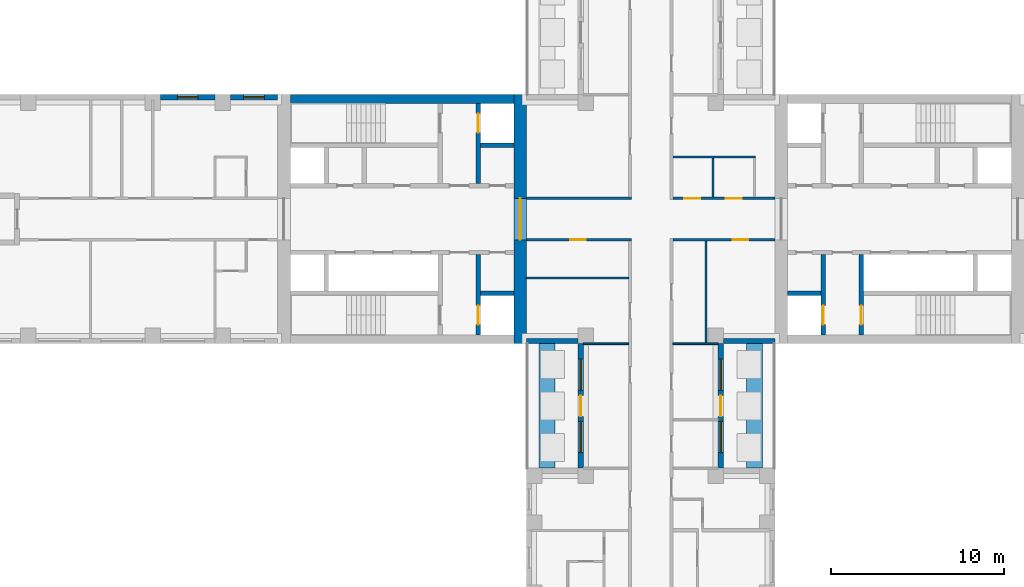
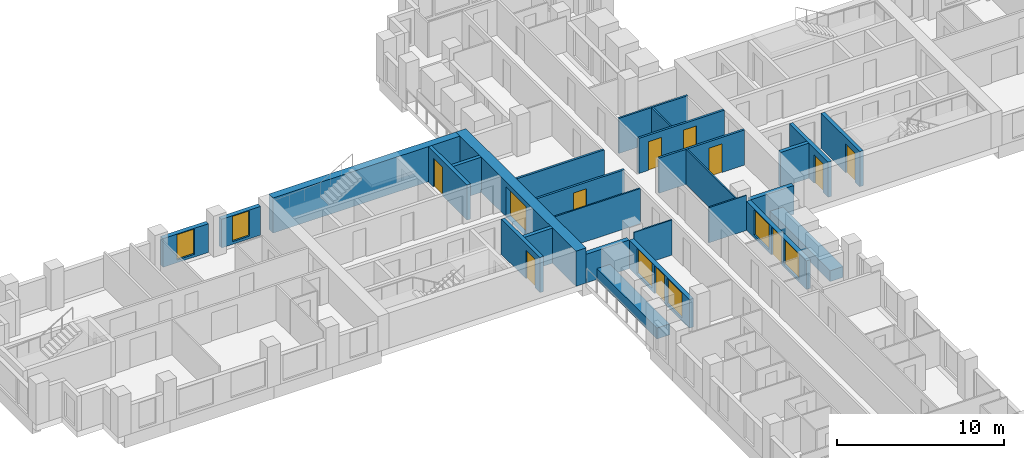
# One storey, part 7 of 13: 27 walls, 11 doors, 6 windows, 17 openings.
"""IFC4 building model written with IfcOpenShell, lengths in metres."""

import ifcopenshell
import ifcopenshell.guid

model = None  # the IFC model being written
_history = None  # IfcOwnerHistory: only IFC2X3 demands one
_inside = {}  # id of a spatial element -> (the spatial element, [elements in it])
_under = {}  # id of a project, library or spatial element -> (it, [spatial elements below it])
_declared = {}  # id of a project -> (the project, [libraries it declares])
_typed = {}  # id of a type object -> (the type object, [elements of that type])
_made_of = {}  # id of a material, layer set ... -> (it, [elements and type objects made of it])


def new_model(schema):
    """Start an empty IFC model of exactly this schema.

    Asked for "IFC4X3", IfcOpenShell would pick the latest addendum, in which some entities
    have other attributes; the version numbers below select the first issue.
    IFC2X3 requires an IfcOwnerHistory on every rooted entity: one is made here for all.
    """
    global model, _history
    if schema == "IFC4X3":
        model = ifcopenshell.file(schema_version=(4, 3, 0, 0))
    else:
        model = ifcopenshell.file(schema=schema)
    _inside.clear()
    _under.clear()
    _declared.clear()
    _typed.clear()
    _made_of.clear()
    _history = None
    if model.schema == "IFC2X3":
        org = make("IfcOrganization", Name="unknown")
        user = make(
            "IfcPersonAndOrganization",
            ThePerson=make("IfcPerson", FamilyName="unknown"),
            TheOrganization=org,
        )
        app = make(
            "IfcApplication",
            ApplicationDeveloper=org,
            Version="unknown",
            ApplicationFullName="unknown",
            ApplicationIdentifier="unknown",
        )
        _history = make(
            "IfcOwnerHistory",
            OwningUser=user,
            OwningApplication=app,
            ChangeAction="ADDED",
            CreationDate=0,
        )
    return model


def make(cls, **values):
    """One entity of the class cls with the attributes given. An attribute that is None is left unset."""
    return model.create_entity(
        cls, **{name: value for name, value in values.items() if value is not None}
    )


def rooted(cls, **values):
    """An entity with a GlobalId (a new one), such as an element, a storey or a relation."""
    return make(cls, GlobalId=ifcopenshell.guid.new(), OwnerHistory=_history, **values)


def si_unit(unit_type, name, prefix=None):
    """IfcSIUnit, for example si_unit("LENGTHUNIT", "METRE", prefix="MILLI")."""
    return make("IfcSIUnit", UnitType=unit_type, Prefix=prefix, Name=name)


def assignment(units):
    """IfcUnitAssignment: the units of a project."""
    return None if units is None else make("IfcUnitAssignment", Units=units)


def point(xyz):
    """IfcCartesianPoint."""
    return None if xyz is None else make("IfcCartesianPoint", Coordinates=xyz)


def direction(xyz):
    """IfcDirection."""
    return None if xyz is None else make("IfcDirection", DirectionRatios=xyz)


def frame(location, z_axis=None, x_axis=None):
    """IfcAxis2Placement3D, a coordinate frame: its origin and axes. An axis left out is left unset."""
    return make(
        "IfcAxis2Placement3D",
        Location=point(location),
        Axis=direction(z_axis),
        RefDirection=direction(x_axis),
    )


def frame_2d(location, x_axis=None):
    """IfcAxis2Placement2D, a coordinate frame in the plane: its origin and x axis."""
    return make(
        "IfcAxis2Placement2D", Location=point(location), RefDirection=direction(x_axis)
    )


def origin():
    """The frame at (0, 0, 0) with its axes left unset."""
    return frame((0.0, 0.0, 0.0))


def place(relative_to, where):
    """IfcLocalPlacement: puts the frame where relative to a parent placement (None: the world)."""
    return make(
        "IfcLocalPlacement", PlacementRelTo=relative_to, RelativePlacement=where
    )


def context(
    kind, dimensions, precision=None, world=None, true_north=None, identifier=None
):
    """IfcGeometricRepresentationContext, for example the 3D "Model" context."""
    return make(
        "IfcGeometricRepresentationContext",
        ContextIdentifier=identifier,
        ContextType=kind,
        CoordinateSpaceDimension=dimensions,
        Precision=precision,
        WorldCoordinateSystem=world,
        TrueNorth=true_north,
    )


def subcontext(parent, identifier, kind, view, scale=None):
    """IfcGeometricRepresentationSubContext, for example "Body" below "Model"."""
    return make(
        "IfcGeometricRepresentationSubContext",
        ContextIdentifier=identifier,
        ContextType=kind,
        ParentContext=parent,
        TargetScale=scale,
        TargetView=view,
    )


def project(units=None, contexts=None):
    """IfcProject with its units and contexts."""
    return rooted(
        "IfcProject",
        Name="project",
        RepresentationContexts=contexts,
        UnitsInContext=assignment(units),
    )


def spatial(cls, under=None, at=None, **own):
    """A site, building, storey or space (cls), placed at a placement, below another one or the project."""
    s = rooted(cls, ObjectPlacement=at, **own)
    if under is not None:
        _under.setdefault(under.id(), (under, []))[1].append(s)
    return s


def profile(cls, at=None, kind="AREA", **sizes):
    """A parametric profile (cls). Its sizes go by their IFC names, for example OverallWidth=200.0."""
    return make(cls, ProfileType=kind, Position=at, **sizes)


def rectangle(**sizes):
    """IfcRectangleProfileDef."""
    return profile("IfcRectangleProfileDef", **sizes)


def extrude(swept, where, along, depth):
    """IfcExtrudedAreaSolid: the profile swept, set in the frame where, extruded along a direction by depth."""
    return make(
        "IfcExtrudedAreaSolid",
        SweptArea=swept,
        Position=where,
        ExtrudedDirection=direction(along),
        Depth=depth,
    )


def shape(context_of_items, identifier, shape_type, items):
    """IfcShapeRepresentation: the items that make up one representation, for example the "Body"."""
    return make(
        "IfcShapeRepresentation",
        ContextOfItems=context_of_items,
        RepresentationIdentifier=identifier,
        RepresentationType=shape_type,
        Items=items,
    )


def material(Name=None, Category=None):
    """IfcMaterial."""
    return make("IfcMaterial", Name=Name, Category=Category)


def layer(
    of_material, thickness, ventilated=None, Name=None, Category=None, Priority=None
):
    """IfcMaterialLayer: one layer of a wall or slab, of a material (None: an air gap)."""
    return make(
        "IfcMaterialLayer",
        Material=of_material,
        LayerThickness=thickness,
        IsVentilated=ventilated,
        Name=Name,
        Category=Category,
        Priority=Priority,
    )


def layer_set(layers, Name=None):
    """IfcMaterialLayerSet."""
    return make("IfcMaterialLayerSet", MaterialLayers=layers, LayerSetName=Name)


def made_of(thing, what):
    """Note that an element or type object is made of a material, layer set ...; save() writes the relation."""
    if what is not None:
        _made_of.setdefault(what.id(), (what, []))[1].append(thing)
    return thing


def type_object(cls, material=None, **own):
    """A type object (cls), such as IfcWallType, which elements share."""
    return made_of(rooted(cls, **own), material)


def element(
    cls,
    number,
    at=None,
    inside=None,
    cuts=None,
    type_object=None,
    material=None,
    context=None,
    identifier="Body",
    shape_type=None,
    held_by="IfcProductDefinitionShape",
    body=None,
    shapes=None,
    **own,
):
    """One element of the class cls, such as IfcWall. Its Tag is "e" and its number.

    at: its placement. inside: the storey or other place that contains it. cuts: it is an
    opening in that element (IfcRelVoidsElement). A single representation is given by context,
    identifier, shape_type and body (its items); several are given by shapes. held_by: the class
    of the entity that holds the representations. save() writes the other relations.
    """
    e = rooted(cls, Tag="e%d" % number, ObjectPlacement=at, **own)
    if body is not None:
        shapes = [shape(context, identifier, shape_type, body)]
    if shapes is not None:
        e.Representation = make(held_by, Representations=shapes)
    if inside is not None:
        _inside.setdefault(inside.id(), (inside, []))[1].append(e)
    if cuts is not None:
        rooted(
            "IfcRelVoidsElement", RelatingBuildingElement=cuts, RelatedOpeningElement=e
        )
    if type_object is not None:
        _typed.setdefault(type_object.id(), (type_object, []))[1].append(e)
    return made_of(e, material)


def fill(opening, filler):
    """IfcRelFillsElement: the door or window that sits in an opening."""
    return rooted(
        "IfcRelFillsElement",
        RelatingOpeningElement=opening,
        RelatedBuildingElement=filler,
    )


def aggregate(whole, parts):
    """IfcRelAggregates: a whole, such as a stair, and the parts it consists of."""
    return rooted("IfcRelAggregates", RelatingObject=whole, RelatedObjects=parts)


def save(model, path):
    """Write the relations noted so far, then the file.

    IfcRelAggregates (storeys below a building ...), IfcRelContainedInSpatialStructure (elements
    in a storey), IfcRelDefinesByType, IfcRelAssociatesMaterial and IfcRelDeclares: one each for
    every whole, place, type object, material and project.
    """
    for whole, parts in _under.values():
        aggregate(whole, parts)
    for where, things in _inside.values():
        rooted(
            "IfcRelContainedInSpatialStructure",
            RelatedElements=things,
            RelatingStructure=where,
        )
    for kind, things in _typed.values():
        rooted("IfcRelDefinesByType", RelatedObjects=things, RelatingType=kind)
    for what, things in _made_of.values():
        rooted("IfcRelAssociatesMaterial", RelatedObjects=things, RelatingMaterial=what)
    for by, libraries in _declared.values():
        rooted("IfcRelDeclares", RelatingContext=by, RelatedDefinitions=libraries)
    model.write(path)


model = new_model("IFC4")

# Units and contexts
model_context = context("Model", 3, precision=1e-05, world=origin(), true_north=direction((0.0, 1.0)))
body_context = subcontext(model_context, "Body", "Model", "MODEL_VIEW")
ifc_project = project(units=[si_unit("LENGTHUNIT", "METRE"), si_unit("AREAUNIT", "SQUARE_METRE"), si_unit("VOLUMEUNIT", "CUBIC_METRE"), si_unit("PLANEANGLEUNIT", "RADIAN"), si_unit("MASSUNIT", "GRAM", prefix="KILO")], contexts=[model_context])

# Site, building, storey
site_placement = place(None, origin())
site = spatial("IfcSite", under=ifc_project, at=site_placement, CompositionType="ELEMENT")
building_placement = place(site_placement, origin())
building = spatial("IfcBuilding", under=site, at=building_placement, Name="Fustian Cross Tower", CompositionType="ELEMENT")
storey_placement = place(building_placement, frame((0.0, 0.0, 87.89990234375)))
storey = spatial("IfcBuildingStorey", under=building, at=storey_placement, Name="L27", CompositionType="ELEMENT", Elevation=87.89990234375)

# Wall, opening, door
ifc_material_1 = material(Name="Plasterboard on steel stud", Category="steel")
ifc_layer_1 = layer(ifc_material_1, 0.14990234375)
ifc_layer_set_1 = layer_set([ifc_layer_1], Name="Plasterboard on steel stud")
wall_type_1 = type_object("IfcWallType", Name="COMPARTMENT WALL 150 EI 60", PredefinedType="PARTITIONING", material=ifc_layer_set_1)
wall_1_placement = place(storey_placement, frame((-7.199951171875, -1.199951171875, 0.0), z_axis=(0.0, 0.0, 1.0), x_axis=(1.0, 0.0, 0.0)))
wall_1 = element("IfcWall", 1, at=wall_1_placement, inside=storey, type_object=wall_type_1, Name="Partition 15", PredefinedType="PARTITIONING", context=body_context, shape_type="SweptSolid", body=[
    extrude(rectangle(XDim=6.074951171875, YDim=0.14990234375, at=frame_2d((3.03759765625, 0.0))), origin(), (0.0, 0.0, 1.0), 2.5751953125),
])
opening_1_placement = place(wall_1_placement, frame((2.550048828125, 0.0, 0.0)))
opening_1 = element("IfcOpeningElement", 2, at=opening_1_placement, cuts=wall_1, Name="Opening D13007", PredefinedType="OPENING", context=body_context, shape_type="SweptSolid", body=[
    extrude(rectangle(XDim=0.89990234375, YDim=2.10009765625, at=frame_2d((0.449951171875, 1.050048828125))), frame((0.0, 0.0849609375, 0.0), z_axis=(0.0, -1.0, 0.0), x_axis=(1.0, 0.0, 0.0)), (0.0, 0.0, 1.0), 0.169921875),
])
ifc_material_2 = material(Name="Timber fire door set", Category="wood")
door_type_1 = type_object("IfcDoorType", Name="FIRE SWING DOOR 900 FD30S", OperationType="SINGLE_SWING_LEFT", PredefinedType="DOOR", material=ifc_material_2)
door_1_placement = place(opening_1_placement, frame((0.89990234375, 0.0, 0.0), z_axis=(0.0, 0.0, 1.0), x_axis=(-1.0, 0.0, 0.0)))
door_1 = element("IfcDoor", 3, at=door_1_placement, inside=storey, type_object=door_type_1, Name="Door D13007", OperationType="SINGLE_SWING_RIGHT", OverallHeight=2.10009765625, OverallWidth=0.89990234375, PredefinedType="DOOR", context=body_context, shape_type="SweptSolid", body=[
    extrude(rectangle(XDim=0.89990234375, YDim=2.10009765625, at=frame_2d((0.449951171875, 1.050048828125))), frame((0.0, 0.02490234375, 0.0), z_axis=(0.0, -1.0, 0.0), x_axis=(1.0, 0.0, 0.0)), (0.0, 0.0, 1.0), 0.050048828125),
])
fill(opening_1, door_1)

# Wall
wall_2_placement = place(storey_placement, frame((-7.199951171875, 1.199951171875, 0.0), z_axis=(0.0, 0.0, 1.0), x_axis=(1.0, 0.0, 0.0)))
element("IfcWall", 4, at=wall_2_placement, inside=storey, type_object=wall_type_1, Name="Partition 16", PredefinedType="PARTITIONING", context=body_context, shape_type="SweptSolid", body=[
    extrude(rectangle(XDim=6.074951171875, YDim=0.14990234375, at=frame_2d((3.03759765625, 0.0))), origin(), (0.0, 0.0, 1.0), 2.5751953125),
])

# Wall, opening, door
wall_3_placement = place(storey_placement, frame((1.27490234375, -1.199951171875, 0.0), z_axis=(0.0, 0.0, 1.0), x_axis=(1.0, 0.0, 0.0)))
wall_3 = element("IfcWall", 5, at=wall_3_placement, inside=storey, type_object=wall_type_1, Name="Partition 48", PredefinedType="PARTITIONING", context=body_context, shape_type="SweptSolid", body=[
    extrude(rectangle(XDim=5.925048828125, YDim=0.14990234375, at=frame_2d((2.96240234375, 0.0))), origin(), (0.0, 0.0, 1.0), 2.5751953125),
])
opening_2_placement = place(wall_3_placement, frame((3.47509765625, 0.0, 0.0)))
opening_2 = element("IfcOpeningElement", 6, at=opening_2_placement, cuts=wall_3, Name="Opening D13006", PredefinedType="OPENING", context=body_context, shape_type="SweptSolid", body=[
    extrude(rectangle(XDim=0.89990234375, YDim=2.10009765625, at=frame_2d((0.449951171875, 1.050048828125))), frame((0.0, 0.0849609375, 0.0), z_axis=(0.0, -1.0, 0.0), x_axis=(1.0, 0.0, 0.0)), (0.0, 0.0, 1.0), 0.169921875),
])
door_2_placement = place(opening_2_placement, frame((0.89990234375, 0.0, 0.0), z_axis=(0.0, 0.0, 1.0), x_axis=(-1.0, 0.0, 0.0)))
door_2 = element("IfcDoor", 7, at=door_2_placement, inside=storey, type_object=door_type_1, Name="Door D13006", OperationType="SINGLE_SWING_RIGHT", OverallHeight=2.10009765625, OverallWidth=0.89990234375, PredefinedType="DOOR", context=body_context, shape_type="SweptSolid", body=[
    extrude(rectangle(XDim=0.89990234375, YDim=2.10009765625, at=frame_2d((0.449951171875, 1.050048828125))), frame((0.0, 0.02490234375, 0.0), z_axis=(0.0, -1.0, 0.0), x_axis=(1.0, 0.0, 0.0)), (0.0, 0.0, 1.0), 0.050048828125),
])
fill(opening_2, door_2)

# Wall, openings, doors
wall_4_placement = place(storey_placement, frame((1.27490234375, 1.199951171875, 0.0), z_axis=(0.0, 0.0, 1.0), x_axis=(1.0, 0.0, 0.0)))
wall_4 = element("IfcWall", 8, at=wall_4_placement, inside=storey, type_object=wall_type_1, Name="Partition 50", PredefinedType="PARTITIONING", context=body_context, shape_type="SweptSolid", body=[
    extrude(rectangle(XDim=5.925048828125, YDim=0.14990234375, at=frame_2d((2.96240234375, 0.0))), origin(), (0.0, 0.0, 1.0), 2.5751953125),
])
opening_3_placement = place(wall_4_placement, frame((0.675048828125, 0.0, 0.0)))
opening_3 = element("IfcOpeningElement", 9, at=opening_3_placement, cuts=wall_4, Name="Opening D13001", PredefinedType="OPENING", context=body_context, shape_type="SweptSolid", body=[
    extrude(rectangle(XDim=0.89990234375, YDim=2.10009765625, at=frame_2d((0.449951171875, 1.050048828125))), frame((0.0, 0.0849609375, 0.0), z_axis=(0.0, -1.0, 0.0), x_axis=(1.0, 0.0, 0.0)), (0.0, 0.0, 1.0), 0.169921875),
])
opening_4_placement = place(wall_4_placement, frame((3.074951171875, 0.0, 0.0)))
opening_4 = element("IfcOpeningElement", 10, at=opening_4_placement, cuts=wall_4, Name="Opening D13002", PredefinedType="OPENING", context=body_context, shape_type="SweptSolid", body=[
    extrude(rectangle(XDim=0.89990234375, YDim=2.10009765625, at=frame_2d((0.449951171875, 1.050048828125))), frame((0.0, 0.0849609375, 0.0), z_axis=(0.0, -1.0, 0.0), x_axis=(1.0, 0.0, 0.0)), (0.0, 0.0, 1.0), 0.169921875),
])
door_3_placement = place(opening_3_placement, origin())
door_3 = element("IfcDoor", 11, at=door_3_placement, inside=storey, type_object=door_type_1, Name="Door D13001", OperationType="SINGLE_SWING_LEFT", OverallHeight=2.10009765625, OverallWidth=0.89990234375, PredefinedType="DOOR", context=body_context, shape_type="SweptSolid", body=[
    extrude(rectangle(XDim=0.89990234375, YDim=2.10009765625, at=frame_2d((0.449951171875, 1.050048828125))), frame((0.0, 0.02490234375, 0.0), z_axis=(0.0, -1.0, 0.0), x_axis=(1.0, 0.0, 0.0)), (0.0, 0.0, 1.0), 0.050048828125),
])
fill(opening_3, door_3)
door_4_placement = place(opening_4_placement, origin())
door_4 = element("IfcDoor", 12, at=door_4_placement, inside=storey, type_object=door_type_1, Name="Door D13002", OperationType="SINGLE_SWING_LEFT", OverallHeight=2.10009765625, OverallWidth=0.89990234375, PredefinedType="DOOR", context=body_context, shape_type="SweptSolid", body=[
    extrude(rectangle(XDim=0.89990234375, YDim=2.10009765625, at=frame_2d((0.449951171875, 1.050048828125))), frame((0.0, 0.02490234375, 0.0), z_axis=(0.0, -1.0, 0.0), x_axis=(1.0, 0.0, 0.0)), (0.0, 0.0, 1.0), 0.050048828125),
])
fill(opening_4, door_4)

# Wall, opening, door
ifc_material_3 = material(Name="Concrete C70/85", Category="concrete")
ifc_layer_2 = layer(ifc_material_3, 0.699951171875)
ifc_layer_set_2 = layer_set([ifc_layer_2], Name="Concrete C70/85")
wall_type_2 = type_object("IfcWallType", Name="CORE END WALL 700 C70/85", PredefinedType="SHEAR", material=ifc_layer_set_2)
wall_5_placement = place(storey_placement, frame((-7.550048828125, -7.199951171875, 0.0), z_axis=(0.0, 0.0, 1.0), x_axis=(0.0, 1.0, 0.0)))
wall_5 = element("IfcWall", 13, at=wall_5_placement, inside=storey, type_object=wall_type_2, Name="Core end wall", PredefinedType="SHEAR", context=body_context, shape_type="SweptSolid", body=[
    extrude(rectangle(XDim=14.39990234375, YDim=0.699951171875, at=frame_2d((7.199951171875, 0.0))), origin(), (0.0, 0.0, 1.0), 2.5751953125),
])
opening_5_placement = place(wall_5_placement, frame((6.0, 0.0, 0.0)))
opening_5 = element("IfcOpeningElement", 14, at=opening_5_placement, cuts=wall_5, Name="Opening CD-11-27", PredefinedType="OPENING", context=body_context, shape_type="SweptSolid", body=[
    extrude(rectangle(XDim=2.39990234375, YDim=2.199951171875, at=frame_2d((1.199951171875, 1.10009765625))), frame((0.0, 0.35986328125, 0.0), z_axis=(0.0, -1.0, 0.0), x_axis=(1.0, 0.0, 0.0)), (0.0, 0.0, 1.0), 0.719970703125),
])
ifc_material_4 = material(Name="Steel", Category="steel")
door_type_2 = type_object("IfcDoorType", Name="FIRE DOOR FD30S DOUBLE 2400X2200", OperationType="DOUBLE_DOOR_DOUBLE_SWING", PredefinedType="DOOR", material=ifc_material_4)
door_5_placement = place(opening_5_placement, origin())
door_5 = element("IfcDoor", 15, at=door_5_placement, inside=storey, type_object=door_type_2, Name="Core door CD-11-27", OperationType="DOUBLE_DOOR_DOUBLE_SWING", OverallHeight=2.199951171875, OverallWidth=2.39990234375, PredefinedType="DOOR", context=body_context, shape_type="SweptSolid", body=[
    extrude(rectangle(XDim=2.39990234375, YDim=2.199951171875, at=frame_2d((1.199951171875, 1.10009765625))), frame((0.0, 0.02490234375, 0.0), z_axis=(0.0, -1.0, 0.0), x_axis=(1.0, 0.0, 0.0)), (0.0, 0.0, 1.0), 0.050048828125),
])
fill(opening_5, door_5)

# Walls
ifc_material_5 = material(Name="Concrete C70/85", Category="concrete")
ifc_layer_3 = layer(ifc_material_5, 0.5)
ifc_layer_set_3 = layer_set([ifc_layer_3], Name="Concrete C70/85")
wall_type_3 = type_object("IfcWallType", Name="CORE FACADE WALL 500 C70/85", PredefinedType="SHEAR", material=ifc_layer_set_3)
wall_6_placement = place(storey_placement, frame((-7.89990234375, 6.949951171875, 0.0), z_axis=(0.0, 0.0, 1.0), x_axis=(-1.0, 0.0, 0.0)))
element("IfcWall", 16, at=wall_6_placement, inside=storey, type_object=wall_type_3, Name="Core facade wall", PredefinedType="SHEAR", context=body_context, shape_type="SweptSolid", body=[
    extrude(rectangle(XDim=12.9501953125, YDim=0.5, at=frame_2d((6.47509765625, 0.0))), origin(), (0.0, 0.0, 1.0), 2.5751953125),
])
ifc_material_6 = material(Name="Concrete C50/60", Category="concrete")
ifc_layer_4 = layer(ifc_material_6, 0.25)
ifc_layer_set_4 = layer_set([ifc_layer_4], Name="Concrete C50/60")
wall_type_4 = type_object("IfcWallType", Name="CORE SHAFT WALL 250 C50/60", PredefinedType="SHEAR", material=ifc_layer_set_4)
wall_7_placement = place(storey_placement, frame((7.89990234375, -4.27490234375, 0.0), z_axis=(0.0, 0.0, 1.0), x_axis=(1.0, 0.0, 0.0)))
element("IfcWall", 17, at=wall_7_placement, inside=storey, type_object=wall_type_4, Name="Core shaft wall", PredefinedType="SHEAR", context=body_context, shape_type="SweptSolid", body=[
    extrude(rectangle(XDim=1.9501953125, YDim=0.25, at=frame_2d((0.97509765625, 0.0))), origin(), (0.0, 0.0, 1.0), 2.5751953125),
])

# Wall, opening, door
wall_8_placement = place(storey_placement, frame((9.97509765625, -2.050048828125, 0.0), z_axis=(0.0, 0.0, 1.0), x_axis=(0.0, -1.0, 0.0)))
wall_8 = element("IfcWall", 18, at=wall_8_placement, inside=storey, type_object=wall_type_4, Name="Core shaft wall", PredefinedType="SHEAR", context=body_context, shape_type="SweptSolid", body=[
    extrude(rectangle(XDim=4.64990234375, YDim=0.25, at=frame_2d((2.324951171875, 0.0))), origin(), (0.0, 0.0, 1.0), 2.5751953125),
])
opening_6_placement = place(wall_8_placement, frame((2.949951171875, 0.0, 0.0)))
opening_6 = element("IfcOpeningElement", 19, at=opening_6_placement, cuts=wall_8, Name="Opening LD", PredefinedType="OPENING", context=body_context, shape_type="SweptSolid", body=[
    extrude(rectangle(XDim=1.10009765625, YDim=2.10009765625, at=frame_2d((0.550048828125, 1.050048828125))), frame((0.0, 0.135009765625, 0.0), z_axis=(0.0, -1.0, 0.0), x_axis=(1.0, 0.0, 0.0)), (0.0, 0.0, 1.0), 0.27001953125),
])
ifc_material_7 = material(Name="Stainless steel", Category="steel")
door_type_3 = type_object("IfcDoorType", Name="LIFT LANDING DOOR 1100X2100", OperationType="SLIDING_TO_LEFT", PredefinedType="DOOR", material=ifc_material_7)
door_6_placement = place(opening_6_placement, origin())
door_6 = element("IfcDoor", 20, at=door_6_placement, inside=storey, type_object=door_type_3, Name="Landing door SV1", OperationType="SLIDING_TO_LEFT", OverallHeight=2.10009765625, OverallWidth=1.10009765625, PredefinedType="DOOR", context=body_context, shape_type="SweptSolid", body=[
    extrude(rectangle(XDim=1.10009765625, YDim=2.10009765625, at=frame_2d((0.550048828125, 1.050048828125))), frame((0.0, 0.02490234375, 0.0), z_axis=(0.0, -1.0, 0.0), x_axis=(1.0, 0.0, 0.0)), (0.0, 0.0, 1.0), 0.050048828125),
])
fill(opening_6, door_6)

wall_9_placement = place(storey_placement, frame((12.175048828125, -2.050048828125, 0.0), z_axis=(0.0, 0.0, 1.0), x_axis=(0.0, -1.0, 0.0)))
wall_9 = element("IfcWall", 21, at=wall_9_placement, inside=storey, type_object=wall_type_4, Name="Core shaft wall", PredefinedType="SHEAR", context=body_context, shape_type="SweptSolid", body=[
    extrude(rectangle(XDim=4.64990234375, YDim=0.25, at=frame_2d((2.324951171875, 0.0))), origin(), (0.0, 0.0, 1.0), 2.5751953125),
])
opening_7_placement = place(wall_9_placement, frame((2.949951171875, 0.0, 0.0)))
opening_7 = element("IfcOpeningElement", 22, at=opening_7_placement, cuts=wall_9, Name="Opening CD-11-07", PredefinedType="OPENING", context=body_context, shape_type="SweptSolid", body=[
    extrude(rectangle(XDim=1.10009765625, YDim=2.10009765625, at=frame_2d((0.550048828125, 1.050048828125))), frame((0.0, 0.135009765625, 0.0), z_axis=(0.0, -1.0, 0.0), x_axis=(1.0, 0.0, 0.0)), (0.0, 0.0, 1.0), 0.27001953125),
])
ifc_material_8 = material(Name="Steel", Category="steel")
door_type_4 = type_object("IfcDoorType", Name="FIRE DOOR FD60S 1100X2100", OperationType="SINGLE_SWING_LEFT", PredefinedType="DOOR", material=ifc_material_8)
door_7_placement = place(opening_7_placement, origin())
door_7 = element("IfcDoor", 23, at=door_7_placement, inside=storey, type_object=door_type_4, Name="Core door CD-11-07", OperationType="SINGLE_SWING_LEFT", OverallHeight=2.10009765625, OverallWidth=1.10009765625, PredefinedType="DOOR", context=body_context, shape_type="SweptSolid", body=[
    extrude(rectangle(XDim=1.10009765625, YDim=2.10009765625, at=frame_2d((0.550048828125, 1.050048828125))), frame((0.0, 0.02490234375, 0.0), z_axis=(0.0, -1.0, 0.0), x_axis=(1.0, 0.0, 0.0)), (0.0, 0.0, 1.0), 0.050048828125),
])
fill(opening_7, door_7)

# Wall
wall_10_placement = place(storey_placement, frame((-7.89990234375, 4.27490234375, 0.0), z_axis=(0.0, 0.0, 1.0), x_axis=(-1.0, 0.0, 0.0)))
element("IfcWall", 24, at=wall_10_placement, inside=storey, type_object=wall_type_4, Name="Core shaft wall", PredefinedType="SHEAR", context=body_context, shape_type="SweptSolid", body=[
    extrude(rectangle(XDim=1.9501953125, YDim=0.25, at=frame_2d((0.97509765625, 0.0))), origin(), (0.0, 0.0, 1.0), 2.5751953125),
])

# Wall, opening, door
wall_11_placement = place(storey_placement, frame((-9.97509765625, 2.050048828125, 0.0), z_axis=(0.0, 0.0, 1.0), x_axis=(0.0, 1.0, 0.0)))
wall_11 = element("IfcWall", 25, at=wall_11_placement, inside=storey, type_object=wall_type_4, Name="Core shaft wall", PredefinedType="SHEAR", context=body_context, shape_type="SweptSolid", body=[
    extrude(rectangle(XDim=4.64990234375, YDim=0.25, at=frame_2d((2.324951171875, 0.0))), origin(), (0.0, 0.0, 1.0), 2.5751953125),
])
opening_8_placement = place(wall_11_placement, frame((2.949951171875, 0.0, 0.0)))
opening_8 = element("IfcOpeningElement", 26, at=opening_8_placement, cuts=wall_11, Name="Opening LD", PredefinedType="OPENING", context=body_context, shape_type="SweptSolid", body=[
    extrude(rectangle(XDim=1.10009765625, YDim=2.10009765625, at=frame_2d((0.550048828125, 1.050048828125))), frame((0.0, 0.135009765625, 0.0), z_axis=(0.0, -1.0, 0.0), x_axis=(1.0, 0.0, 0.0)), (0.0, 0.0, 1.0), 0.27001953125),
])
door_8_placement = place(opening_8_placement, origin())
door_8 = element("IfcDoor", 27, at=door_8_placement, inside=storey, type_object=door_type_3, Name="Landing door FL1W", OperationType="SLIDING_TO_LEFT", OverallHeight=2.10009765625, OverallWidth=1.10009765625, PredefinedType="DOOR", context=body_context, shape_type="SweptSolid", body=[
    extrude(rectangle(XDim=1.10009765625, YDim=2.10009765625, at=frame_2d((0.550048828125, 1.050048828125))), frame((0.0, 0.02490234375, 0.0), z_axis=(0.0, -1.0, 0.0), x_axis=(1.0, 0.0, 0.0)), (0.0, 0.0, 1.0), 0.050048828125),
])
fill(opening_8, door_8)

# Wall
wall_12_placement = place(storey_placement, frame((-7.89990234375, -4.27490234375, 0.0), z_axis=(0.0, 0.0, 1.0), x_axis=(-1.0, 0.0, 0.0)))
element("IfcWall", 28, at=wall_12_placement, inside=storey, type_object=wall_type_4, Name="Core shaft wall", PredefinedType="SHEAR", context=body_context, shape_type="SweptSolid", body=[
    extrude(rectangle(XDim=1.9501953125, YDim=0.25, at=frame_2d((0.97509765625, 0.0))), origin(), (0.0, 0.0, 1.0), 2.5751953125),
])

# Wall, opening, door
wall_13_placement = place(storey_placement, frame((-9.97509765625, -2.050048828125, 0.0), z_axis=(0.0, 0.0, 1.0), x_axis=(0.0, -1.0, 0.0)))
wall_13 = element("IfcWall", 29, at=wall_13_placement, inside=storey, type_object=wall_type_4, Name="Core shaft wall", PredefinedType="SHEAR", context=body_context, shape_type="SweptSolid", body=[
    extrude(rectangle(XDim=4.64990234375, YDim=0.25, at=frame_2d((2.324951171875, 0.0))), origin(), (0.0, 0.0, 1.0), 2.5751953125),
])
opening_9_placement = place(wall_13_placement, frame((2.949951171875, 0.0, 0.0)))
opening_9 = element("IfcOpeningElement", 30, at=opening_9_placement, cuts=wall_13, Name="Opening LD", PredefinedType="OPENING", context=body_context, shape_type="SweptSolid", body=[
    extrude(rectangle(XDim=1.10009765625, YDim=2.10009765625, at=frame_2d((0.550048828125, 1.050048828125))), frame((0.0, 0.135009765625, 0.0), z_axis=(0.0, -1.0, 0.0), x_axis=(1.0, 0.0, 0.0)), (0.0, 0.0, 1.0), 0.27001953125),
])
door_9_placement = place(opening_9_placement, origin())
door_9 = element("IfcDoor", 31, at=door_9_placement, inside=storey, type_object=door_type_3, Name="Landing door SV1W", OperationType="SLIDING_TO_LEFT", OverallHeight=2.10009765625, OverallWidth=1.10009765625, PredefinedType="DOOR", context=body_context, shape_type="SweptSolid", body=[
    extrude(rectangle(XDim=1.10009765625, YDim=2.10009765625, at=frame_2d((0.550048828125, 1.050048828125))), frame((0.0, 0.02490234375, 0.0), z_axis=(0.0, -1.0, 0.0), x_axis=(1.0, 0.0, 0.0)), (0.0, 0.0, 1.0), 0.050048828125),
])
fill(opening_9, door_9)

# Walls
ifc_material_9 = material(Name="Plasterboard on steel stud", Category="steel")
ifc_layer_5 = layer(ifc_material_9, 0.10009765625)
ifc_layer_set_5 = layer_set([ifc_layer_5], Name="Plasterboard on steel stud")
wall_type_5 = type_object("IfcWallType", Name="PARTITION 100 STUD", PredefinedType="PARTITIONING", material=ifc_layer_set_5)
wall_14_placement = place(storey_placement, frame((-7.199951171875, -3.39990234375, 0.0), z_axis=(0.0, 0.0, 1.0), x_axis=(1.0, 0.0, 0.0)))
element("IfcWall", 32, at=wall_14_placement, inside=storey, type_object=wall_type_5, Name="Partition 14", PredefinedType="PARTITIONING", context=body_context, shape_type="SweptSolid", body=[
    extrude(rectangle(XDim=5.925048828125, YDim=0.10009765625, at=frame_2d((2.96240234375, 0.0))), origin(), (0.0, 0.0, 1.0), 2.5751953125),
])
for number, where, z_axis, x_axis, name in (
    (33, (-3.89990234375, -7.199951171875, 0.0), (0.0, 0.0, 1.0), (1.0, 0.0, 0.0), "Partition 32"),
    (34, (1.27490234375, -7.199951171875, 0.0), (0.0, 0.0, 1.0), (1.0, 0.0, 0.0), "Partition 47"),
):
    element("IfcWall", number, at=place(storey_placement, frame(where, z_axis=z_axis, x_axis=x_axis)), inside=storey, type_object=wall_type_5, Name=name, PredefinedType="PARTITIONING", context=body_context, shape_type="SweptSolid", body=[
        extrude(rectangle(XDim=2.625, YDim=0.10009765625, at=frame_2d((1.3125, 0.0))), origin(), (0.0, 0.0, 1.0), 2.5751953125),
    ])
wall_15_placement = place(storey_placement, frame((3.199951171875, -7.14990234375, 0.0), z_axis=(0.0, 0.0, 1.0), x_axis=(0.0, 1.0, 0.0)))
element("IfcWall", 35, at=wall_15_placement, inside=storey, type_object=wall_type_5, Name="Partition 62", PredefinedType="PARTITIONING", context=body_context, shape_type="SweptSolid", body=[
    extrude(rectangle(XDim=5.875, YDim=0.10009765625, at=frame_2d((2.9375, 0.0))), origin(), (0.0, 0.0, 1.0), 2.5751953125),
])
ifc_material_10 = material(Name="Concrete C40/50", Category="concrete")
ifc_layer_6 = layer(ifc_material_10, 0.89990234375)
ifc_layer_set_6 = layer_set([ifc_layer_6], Name="Concrete C40/50")
wall_type_6 = type_object("IfcWallType", Name="PK1 PLANTER 900", PredefinedType="PARAPET", material=ifc_layer_set_6)
for number, where, z_axis, x_axis, name in (
    (36, (6.0, -14.39990234375, 0.0), (0.0, 0.0, 1.0), (0.0, 1.0, 0.0), "PLANTER"),
    (37, (-6.0, -14.39990234375, 0.0), (0.0, 0.0, 1.0), (0.0, 1.0, 0.0), "PLANTER"),
):
    element("IfcWall", number, at=place(storey_placement, frame(where, z_axis=z_axis, x_axis=x_axis)), inside=storey, type_object=wall_type_6, Name=name, PredefinedType="PARAPET", context=body_context, shape_type="SweptSolid", body=[
        extrude(rectangle(XDim=7.199951171875, YDim=0.89990234375, at=frame_2d((3.60009765625, 0.0))), origin(), (0.0, 0.0, 1.0), 0.800048828125),
    ])
ifc_material_11 = material(Name="Plasterboard on steel stud", Category="steel")
ifc_layer_7 = layer(ifc_material_11, 0.125)
ifc_layer_set_7 = layer_set([ifc_layer_7], Name="Plasterboard on steel stud")
wall_type_7 = type_object("IfcWallType", Name="WET WALL 125 STUD", PredefinedType="PARTITIONING", material=ifc_layer_set_7)
wall_16_placement = place(storey_placement, frame((1.27490234375, 3.60009765625, 0.0), z_axis=(0.0, 0.0, 1.0), x_axis=(1.0, 0.0, 0.0)))
element("IfcWall", 38, at=wall_16_placement, inside=storey, type_object=wall_type_7, Name="Partition 51", PredefinedType="PARTITIONING", context=body_context, shape_type="SweptSolid", body=[
    extrude(rectangle(XDim=4.78759765625, YDim=0.125, at=frame_2d((2.393798828125, 0.0))), origin(), (0.0, 0.0, 1.0), 2.5751953125),
])
wall_17_placement = place(storey_placement, frame((3.60009765625, 1.27490234375, 0.0), z_axis=(0.0, 0.0, 1.0), x_axis=(0.0, 1.0, 0.0)))
element("IfcWall", 39, at=wall_17_placement, inside=storey, type_object=wall_type_7, Name="Partition 63", PredefinedType="PARTITIONING", context=body_context, shape_type="SweptSolid", body=[
    extrude(rectangle(XDim=2.2626953125, YDim=0.125, at=frame_2d((1.13134765625, 0.0))), origin(), (0.0, 0.0, 1.0), 2.5751953125),
])

# Wall, opening, window
ifc_material_12 = material(Name="Dark aluminium cladding on insulated backing wall", Category="aluminium")
ifc_layer_8 = layer(ifc_material_12, 0.300048828125)
ifc_layer_set_8 = layer_set([ifc_layer_8], Name="Dark aluminium cladding on insulated backing wall")
wall_type_8 = type_object("IfcWallType", Name="XW1 EXTERNAL WALL 300", PredefinedType="SOLIDWALL", material=ifc_layer_set_8)
wall_18_placement = place(storey_placement, frame((-21.60009765625, 7.050048828125, 0.0), z_axis=(0.0, 0.0, 1.0), x_axis=(-1.0, 0.0, 0.0)))
wall_18 = element("IfcWall", 40, at=wall_18_placement, inside=storey, type_object=wall_type_8, Name="External wall", PredefinedType="SOLIDWALL", context=body_context, shape_type="SweptSolid", body=[
    extrude(rectangle(XDim=2.699951171875, YDim=0.300048828125, at=frame_2d((1.35009765625, 0.0))), origin(), (0.0, 0.0, 1.0), 2.10009765625),
])
opening_10_placement = place(wall_18_placement, frame((0.75, 0.0, 0.199951171875)))
opening_10 = element("IfcOpeningElement", 41, at=opening_10_placement, cuts=wall_18, Name="Opening WN3", PredefinedType="OPENING", context=body_context, shape_type="SweptSolid", body=[
    extrude(rectangle(XDim=1.199951171875, YDim=1.85009765625, at=frame_2d((0.60009765625, 0.925048828125))), frame((0.0, 0.159912109375, 0.0), z_axis=(0.0, -1.0, 0.0), x_axis=(1.0, 0.0, 0.0)), (0.0, 0.0, 1.0), 0.320068359375),
])
ifc_material_13 = material(Name="Dark anodised aluminium and double glazing", Category="aluminium")
window_type_1 = type_object("IfcWindowType", Name="WN3 WINDOW 1200X1850", PartitioningType="SINGLE_PANEL", PredefinedType="WINDOW", material=ifc_material_13)
window_1_placement = place(opening_10_placement, origin())
window_1 = element("IfcWindow", 42, at=window_1_placement, inside=storey, type_object=window_type_1, Name="Window", OverallHeight=1.85009765625, OverallWidth=1.199951171875, PartitioningType="SINGLE_PANEL", PredefinedType="WINDOW", context=body_context, shape_type="SweptSolid", body=[
    extrude(rectangle(XDim=1.199951171875, YDim=1.85009765625, at=frame_2d((0.60009765625, 0.925048828125))), frame((0.0, 0.030029296875, 0.0), z_axis=(0.0, -1.0, 0.0), x_axis=(1.0, 0.0, 0.0)), (0.0, 0.0, 1.0), 0.06005859375),
])
fill(opening_10, window_1)

wall_19_placement = place(storey_placement, frame((-25.199951171875, 7.050048828125, 0.0), z_axis=(0.0, 0.0, 1.0), x_axis=(-1.0, 0.0, 0.0)))
wall_19 = element("IfcWall", 43, at=wall_19_placement, inside=storey, type_object=wall_type_8, Name="External wall", PredefinedType="SOLIDWALL", context=body_context, shape_type="SweptSolid", body=[
    extrude(rectangle(XDim=3.150146484375, YDim=0.300048828125, at=frame_2d((1.5751953125, 0.0))), origin(), (0.0, 0.0, 1.0), 2.10009765625),
])
opening_11_placement = place(wall_19_placement, frame((0.97509765625, 0.0, 0.199951171875)))
opening_11 = element("IfcOpeningElement", 44, at=opening_11_placement, cuts=wall_19, Name="Opening WN3", PredefinedType="OPENING", context=body_context, shape_type="SweptSolid", body=[
    extrude(rectangle(XDim=1.199951171875, YDim=1.85009765625, at=frame_2d((0.60009765625, 0.925048828125))), frame((0.0, 0.159912109375, 0.0), z_axis=(0.0, -1.0, 0.0), x_axis=(1.0, 0.0, 0.0)), (0.0, 0.0, 1.0), 0.320068359375),
])
window_2_placement = place(opening_11_placement, origin())
window_2 = element("IfcWindow", 45, at=window_2_placement, inside=storey, type_object=window_type_1, Name="Window", OverallHeight=1.85009765625, OverallWidth=1.199951171875, PartitioningType="SINGLE_PANEL", PredefinedType="WINDOW", context=body_context, shape_type="SweptSolid", body=[
    extrude(rectangle(XDim=1.199951171875, YDim=1.85009765625, at=frame_2d((0.60009765625, 0.925048828125))), frame((0.0, 0.030029296875, 0.0), z_axis=(0.0, -1.0, 0.0), x_axis=(1.0, 0.0, 0.0)), (0.0, 0.0, 1.0), 0.06005859375),
])
fill(opening_11, window_2)

# Wall
wall_20_placement = place(storey_placement, frame((-7.199951171875, -7.050048828125, 0.0), z_axis=(0.0, 0.0, 1.0), x_axis=(1.0, 0.0, 0.0)))
element("IfcWall", 46, at=wall_20_placement, inside=storey, type_object=wall_type_8, Name="External wall", PredefinedType="SOLIDWALL", context=body_context, shape_type="SweptSolid", body=[
    extrude(rectangle(XDim=3.0, YDim=0.300048828125, at=frame_2d((1.5, 0.0))), origin(), (0.0, 0.0, 1.0), 2.10009765625),
])

# Wall, openings, door, windows
wall_21_placement = place(storey_placement, frame((-4.050048828125, -7.199951171875, 0.0), z_axis=(0.0, 0.0, 1.0), x_axis=(0.0, -1.0, 0.0)))
wall_21 = element("IfcWall", 47, at=wall_21_placement, inside=storey, type_object=wall_type_8, Name="External wall", PredefinedType="SOLIDWALL", context=body_context, shape_type="SweptSolid", body=[
    extrude(rectangle(XDim=7.199951171875, YDim=0.300048828125, at=frame_2d((3.60009765625, 0.0))), origin(), (0.0, 0.0, 1.0), 2.10009765625),
])
opening_12_placement = place(wall_21_placement, frame((3.0, 0.0, 0.0)))
opening_12 = element("IfcOpeningElement", 48, at=opening_12_placement, cuts=wall_21, Name="Opening XD4", PredefinedType="OPENING", context=body_context, shape_type="SweptSolid", body=[
    extrude(rectangle(XDim=1.199951171875, YDim=2.050048828125, at=frame_2d((0.60009765625, 1.02490234375))), frame((0.0, 0.159912109375, 0.0), z_axis=(0.0, -1.0, 0.0), x_axis=(1.0, 0.0, 0.0)), (0.0, 0.0, 1.0), 0.320068359375),
])
opening_13_placement = place(wall_21_placement, frame((0.89990234375, 0.0, 0.199951171875)))
opening_13 = element("IfcOpeningElement", 49, at=opening_13_placement, cuts=wall_21, Name="Opening WN2", PredefinedType="OPENING", context=body_context, shape_type="SweptSolid", body=[
    extrude(rectangle(XDim=1.800048828125, YDim=1.85009765625, at=frame_2d((0.89990234375, 0.925048828125))), frame((0.0, 0.159912109375, 0.0), z_axis=(0.0, -1.0, 0.0), x_axis=(1.0, 0.0, 0.0)), (0.0, 0.0, 1.0), 0.320068359375),
])
opening_14_placement = place(wall_21_placement, frame((4.5, 0.0, 0.199951171875)))
opening_14 = element("IfcOpeningElement", 50, at=opening_14_placement, cuts=wall_21, Name="Opening WN2", PredefinedType="OPENING", context=body_context, shape_type="SweptSolid", body=[
    extrude(rectangle(XDim=1.800048828125, YDim=1.85009765625, at=frame_2d((0.89990234375, 0.925048828125))), frame((0.0, 0.159912109375, 0.0), z_axis=(0.0, -1.0, 0.0), x_axis=(1.0, 0.0, 0.0)), (0.0, 0.0, 1.0), 0.320068359375),
])
ifc_material_14 = material(Name="Dark anodised aluminium and double glazing", Category="aluminium")
door_type_5 = type_object("IfcDoorType", Name="ED1 BALCONY DOOR 1200X2050", OperationType="SINGLE_SWING_LEFT", PredefinedType="DOOR", material=ifc_material_14)
door_10_placement = place(opening_12_placement, origin())
door_10 = element("IfcDoor", 51, at=door_10_placement, inside=storey, type_object=door_type_5, Name="Balcony door", OperationType="SINGLE_SWING_LEFT", OverallHeight=2.050048828125, OverallWidth=1.199951171875, PredefinedType="DOOR", context=body_context, shape_type="SweptSolid", body=[
    extrude(rectangle(XDim=1.199951171875, YDim=2.050048828125, at=frame_2d((0.60009765625, 1.02490234375))), frame((0.0, 0.02490234375, 0.0), z_axis=(0.0, -1.0, 0.0), x_axis=(1.0, 0.0, 0.0)), (0.0, 0.0, 1.0), 0.050048828125),
])
fill(opening_12, door_10)
ifc_material_15 = material(Name="Dark anodised aluminium and double glazing", Category="aluminium")
window_type_2 = type_object("IfcWindowType", Name="WN2 WINDOW 1800X1850", PartitioningType="SINGLE_PANEL", PredefinedType="WINDOW", material=ifc_material_15)
window_3_placement = place(opening_13_placement, origin())
window_3 = element("IfcWindow", 52, at=window_3_placement, inside=storey, type_object=window_type_2, Name="Window", OverallHeight=1.85009765625, OverallWidth=1.800048828125, PartitioningType="SINGLE_PANEL", PredefinedType="WINDOW", context=body_context, shape_type="SweptSolid", body=[
    extrude(rectangle(XDim=1.800048828125, YDim=1.85009765625, at=frame_2d((0.89990234375, 0.925048828125))), frame((0.0, 0.030029296875, 0.0), z_axis=(0.0, -1.0, 0.0), x_axis=(1.0, 0.0, 0.0)), (0.0, 0.0, 1.0), 0.06005859375),
])
fill(opening_13, window_3)
window_4_placement = place(opening_14_placement, origin())
window_4 = element("IfcWindow", 53, at=window_4_placement, inside=storey, type_object=window_type_2, Name="Window", OverallHeight=1.85009765625, OverallWidth=1.800048828125, PartitioningType="SINGLE_PANEL", PredefinedType="WINDOW", context=body_context, shape_type="SweptSolid", body=[
    extrude(rectangle(XDim=1.800048828125, YDim=1.85009765625, at=frame_2d((0.89990234375, 0.925048828125))), frame((0.0, 0.030029296875, 0.0), z_axis=(0.0, -1.0, 0.0), x_axis=(1.0, 0.0, 0.0)), (0.0, 0.0, 1.0), 0.06005859375),
])
fill(opening_14, window_4)

wall_22_placement = place(storey_placement, frame((4.050048828125, -14.39990234375, 0.0), z_axis=(0.0, 0.0, 1.0), x_axis=(0.0, 1.0, 0.0)))
wall_22 = element("IfcWall", 54, at=wall_22_placement, inside=storey, type_object=wall_type_8, Name="External wall", PredefinedType="SOLIDWALL", context=body_context, shape_type="SweptSolid", body=[
    extrude(rectangle(XDim=7.199951171875, YDim=0.300048828125, at=frame_2d((3.60009765625, 0.0))), origin(), (0.0, 0.0, 1.0), 2.10009765625),
])
opening_15_placement = place(wall_22_placement, frame((3.0, 0.0, 0.0)))
opening_15 = element("IfcOpeningElement", 55, at=opening_15_placement, cuts=wall_22, Name="Opening XD3", PredefinedType="OPENING", context=body_context, shape_type="SweptSolid", body=[
    extrude(rectangle(XDim=1.199951171875, YDim=2.050048828125, at=frame_2d((0.60009765625, 1.02490234375))), frame((0.0, 0.159912109375, 0.0), z_axis=(0.0, -1.0, 0.0), x_axis=(1.0, 0.0, 0.0)), (0.0, 0.0, 1.0), 0.320068359375),
])
opening_16_placement = place(wall_22_placement, frame((0.89990234375, 0.0, 0.199951171875)))
opening_16 = element("IfcOpeningElement", 56, at=opening_16_placement, cuts=wall_22, Name="Opening WN2", PredefinedType="OPENING", context=body_context, shape_type="SweptSolid", body=[
    extrude(rectangle(XDim=1.800048828125, YDim=1.85009765625, at=frame_2d((0.89990234375, 0.925048828125))), frame((0.0, 0.159912109375, 0.0), z_axis=(0.0, -1.0, 0.0), x_axis=(1.0, 0.0, 0.0)), (0.0, 0.0, 1.0), 0.320068359375),
])
opening_17_placement = place(wall_22_placement, frame((4.5, 0.0, 0.199951171875)))
opening_17 = element("IfcOpeningElement", 57, at=opening_17_placement, cuts=wall_22, Name="Opening WN2", PredefinedType="OPENING", context=body_context, shape_type="SweptSolid", body=[
    extrude(rectangle(XDim=1.800048828125, YDim=1.85009765625, at=frame_2d((0.89990234375, 0.925048828125))), frame((0.0, 0.159912109375, 0.0), z_axis=(0.0, -1.0, 0.0), x_axis=(1.0, 0.0, 0.0)), (0.0, 0.0, 1.0), 0.320068359375),
])
door_11_placement = place(opening_15_placement, origin())
door_11 = element("IfcDoor", 58, at=door_11_placement, inside=storey, type_object=door_type_5, Name="Balcony door", OperationType="SINGLE_SWING_LEFT", OverallHeight=2.050048828125, OverallWidth=1.199951171875, PredefinedType="DOOR", context=body_context, shape_type="SweptSolid", body=[
    extrude(rectangle(XDim=1.199951171875, YDim=2.050048828125, at=frame_2d((0.60009765625, 1.02490234375))), frame((0.0, 0.02490234375, 0.0), z_axis=(0.0, -1.0, 0.0), x_axis=(1.0, 0.0, 0.0)), (0.0, 0.0, 1.0), 0.050048828125),
])
fill(opening_15, door_11)
window_5_placement = place(opening_16_placement, origin())
window_5 = element("IfcWindow", 59, at=window_5_placement, inside=storey, type_object=window_type_2, Name="Window", OverallHeight=1.85009765625, OverallWidth=1.800048828125, PartitioningType="SINGLE_PANEL", PredefinedType="WINDOW", context=body_context, shape_type="SweptSolid", body=[
    extrude(rectangle(XDim=1.800048828125, YDim=1.85009765625, at=frame_2d((0.89990234375, 0.925048828125))), frame((0.0, 0.030029296875, 0.0), z_axis=(0.0, -1.0, 0.0), x_axis=(1.0, 0.0, 0.0)), (0.0, 0.0, 1.0), 0.06005859375),
])
fill(opening_16, window_5)
window_6_placement = place(opening_17_placement, origin())
window_6 = element("IfcWindow", 60, at=window_6_placement, inside=storey, type_object=window_type_2, Name="Window", OverallHeight=1.85009765625, OverallWidth=1.800048828125, PartitioningType="SINGLE_PANEL", PredefinedType="WINDOW", context=body_context, shape_type="SweptSolid", body=[
    extrude(rectangle(XDim=1.800048828125, YDim=1.85009765625, at=frame_2d((0.89990234375, 0.925048828125))), frame((0.0, 0.030029296875, 0.0), z_axis=(0.0, -1.0, 0.0), x_axis=(1.0, 0.0, 0.0)), (0.0, 0.0, 1.0), 0.06005859375),
])
fill(opening_17, window_6)

# Wall
wall_23_placement = place(storey_placement, frame((4.199951171875, -7.050048828125, 0.0), z_axis=(0.0, 0.0, 1.0), x_axis=(1.0, 0.0, 0.0)))
element("IfcWall", 61, at=wall_23_placement, inside=storey, type_object=wall_type_8, Name="External wall", PredefinedType="SOLIDWALL", context=body_context, shape_type="SweptSolid", body=[
    extrude(rectangle(XDim=3.0, YDim=0.300048828125, at=frame_2d((1.5, 0.0))), origin(), (0.0, 0.0, 1.0), 2.10009765625),
])

save(model, "model.ifc")
